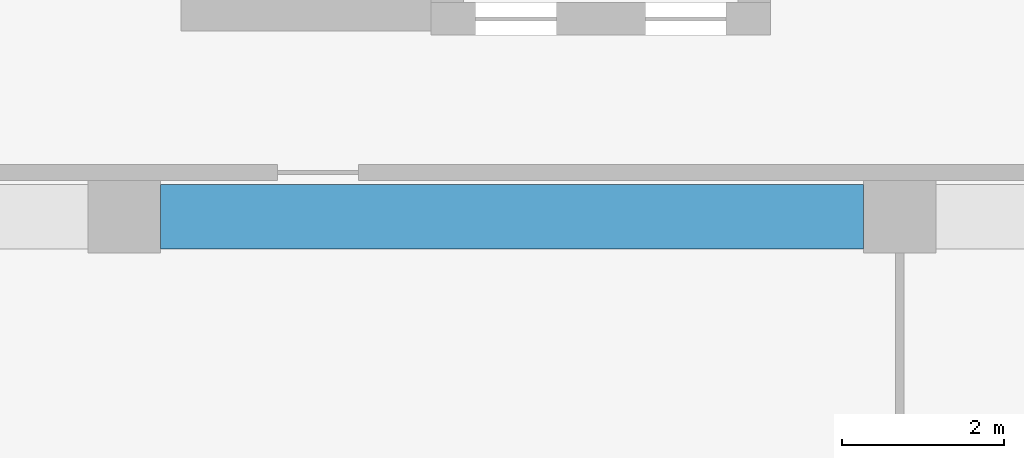
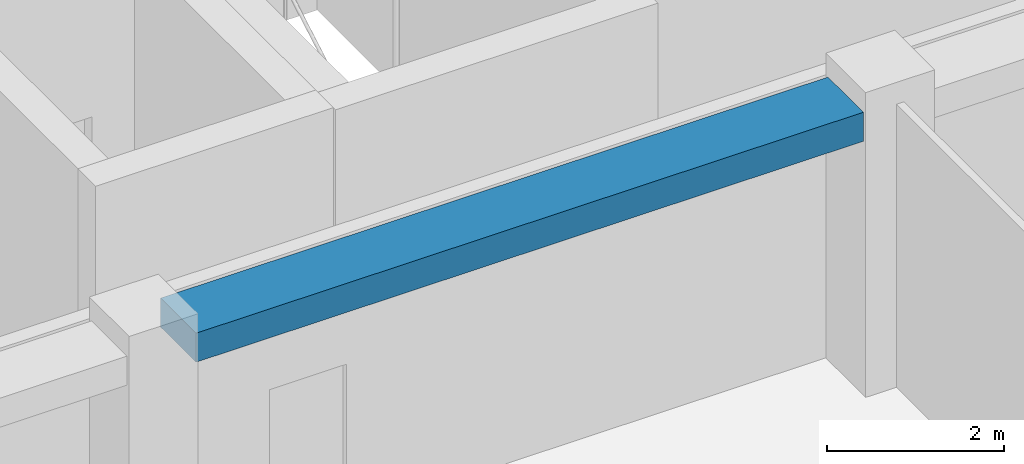
# One storey, part 5 of 38: 1 beam.
"""IFC4 building model written with IfcOpenShell, lengths in metres."""

import ifcopenshell
import ifcopenshell.guid

model = None  # the IFC model being written
_history = None  # IfcOwnerHistory: only IFC2X3 demands one
_inside = {}  # id of a spatial element -> (the spatial element, [elements in it])
_under = {}  # id of a project, library or spatial element -> (it, [spatial elements below it])
_declared = {}  # id of a project -> (the project, [libraries it declares])
_typed = {}  # id of a type object -> (the type object, [elements of that type])
_made_of = {}  # id of a material, layer set ... -> (it, [elements and type objects made of it])


def new_model(schema):
    """Start an empty IFC model of exactly this schema.

    Asked for "IFC4X3", IfcOpenShell would pick the latest addendum, in which some entities
    have other attributes; the version numbers below select the first issue.
    IFC2X3 requires an IfcOwnerHistory on every rooted entity: one is made here for all.
    """
    global model, _history
    if schema == "IFC4X3":
        model = ifcopenshell.file(schema_version=(4, 3, 0, 0))
    else:
        model = ifcopenshell.file(schema=schema)
    _inside.clear()
    _under.clear()
    _declared.clear()
    _typed.clear()
    _made_of.clear()
    _history = None
    if model.schema == "IFC2X3":
        org = make("IfcOrganization", Name="unknown")
        user = make(
            "IfcPersonAndOrganization",
            ThePerson=make("IfcPerson", FamilyName="unknown"),
            TheOrganization=org,
        )
        app = make(
            "IfcApplication",
            ApplicationDeveloper=org,
            Version="unknown",
            ApplicationFullName="unknown",
            ApplicationIdentifier="unknown",
        )
        _history = make(
            "IfcOwnerHistory",
            OwningUser=user,
            OwningApplication=app,
            ChangeAction="ADDED",
            CreationDate=0,
        )
    return model


def make(cls, **values):
    """One entity of the class cls with the attributes given. An attribute that is None is left unset."""
    return model.create_entity(
        cls, **{name: value for name, value in values.items() if value is not None}
    )


def rooted(cls, **values):
    """An entity with a GlobalId (a new one), such as an element, a storey or a relation."""
    return make(cls, GlobalId=ifcopenshell.guid.new(), OwnerHistory=_history, **values)


def si_unit(unit_type, name, prefix=None):
    """IfcSIUnit, for example si_unit("LENGTHUNIT", "METRE", prefix="MILLI")."""
    return make("IfcSIUnit", UnitType=unit_type, Prefix=prefix, Name=name)


def assignment(units):
    """IfcUnitAssignment: the units of a project."""
    return None if units is None else make("IfcUnitAssignment", Units=units)


def point(xyz):
    """IfcCartesianPoint."""
    return None if xyz is None else make("IfcCartesianPoint", Coordinates=xyz)


def direction(xyz):
    """IfcDirection."""
    return None if xyz is None else make("IfcDirection", DirectionRatios=xyz)


def frame(location, z_axis=None, x_axis=None):
    """IfcAxis2Placement3D, a coordinate frame: its origin and axes. An axis left out is left unset."""
    return make(
        "IfcAxis2Placement3D",
        Location=point(location),
        Axis=direction(z_axis),
        RefDirection=direction(x_axis),
    )


def frame_2d(location, x_axis=None):
    """IfcAxis2Placement2D, a coordinate frame in the plane: its origin and x axis."""
    return make(
        "IfcAxis2Placement2D", Location=point(location), RefDirection=direction(x_axis)
    )


def origin():
    """The frame at (0, 0, 0) with its axes left unset."""
    return frame((0.0, 0.0, 0.0))


def origin_2d():
    """The frame at (0, 0) in the plane with its x axis left unset."""
    return frame_2d((0.0, 0.0))


def place(relative_to, where):
    """IfcLocalPlacement: puts the frame where relative to a parent placement (None: the world)."""
    return make(
        "IfcLocalPlacement", PlacementRelTo=relative_to, RelativePlacement=where
    )


def context(
    kind, dimensions, precision=None, world=None, true_north=None, identifier=None
):
    """IfcGeometricRepresentationContext, for example the 3D "Model" context."""
    return make(
        "IfcGeometricRepresentationContext",
        ContextIdentifier=identifier,
        ContextType=kind,
        CoordinateSpaceDimension=dimensions,
        Precision=precision,
        WorldCoordinateSystem=world,
        TrueNorth=true_north,
    )


def subcontext(parent, identifier, kind, view, scale=None):
    """IfcGeometricRepresentationSubContext, for example "Body" below "Model"."""
    return make(
        "IfcGeometricRepresentationSubContext",
        ContextIdentifier=identifier,
        ContextType=kind,
        ParentContext=parent,
        TargetScale=scale,
        TargetView=view,
    )


def project(units=None, contexts=None):
    """IfcProject with its units and contexts."""
    return rooted(
        "IfcProject",
        Name="project",
        RepresentationContexts=contexts,
        UnitsInContext=assignment(units),
    )


def spatial(cls, under=None, at=None, **own):
    """A site, building, storey or space (cls), placed at a placement, below another one or the project."""
    s = rooted(cls, ObjectPlacement=at, **own)
    if under is not None:
        _under.setdefault(under.id(), (under, []))[1].append(s)
    return s


def profile(cls, at=None, kind="AREA", **sizes):
    """A parametric profile (cls). Its sizes go by their IFC names, for example OverallWidth=200.0."""
    return make(cls, ProfileType=kind, Position=at, **sizes)


def rectangle(**sizes):
    """IfcRectangleProfileDef."""
    return profile("IfcRectangleProfileDef", **sizes)


def extrude(swept, where, along, depth):
    """IfcExtrudedAreaSolid: the profile swept, set in the frame where, extruded along a direction by depth."""
    return make(
        "IfcExtrudedAreaSolid",
        SweptArea=swept,
        Position=where,
        ExtrudedDirection=direction(along),
        Depth=depth,
    )


def shape(context_of_items, identifier, shape_type, items):
    """IfcShapeRepresentation: the items that make up one representation, for example the "Body"."""
    return make(
        "IfcShapeRepresentation",
        ContextOfItems=context_of_items,
        RepresentationIdentifier=identifier,
        RepresentationType=shape_type,
        Items=items,
    )


def material(Name=None, Category=None):
    """IfcMaterial."""
    return make("IfcMaterial", Name=Name, Category=Category)


def material_profile(
    of_material, cross_section, Name=None, Category=None, Priority=None
):
    """IfcMaterialProfile: a cross section and its material."""
    return make(
        "IfcMaterialProfile",
        Name=Name,
        Material=of_material,
        Profile=cross_section,
        Priority=Priority,
        Category=Category,
    )


def profile_set(profiles, Name=None, composite=None):
    """IfcMaterialProfileSet."""
    return make(
        "IfcMaterialProfileSet",
        Name=Name,
        MaterialProfiles=profiles,
        CompositeProfile=composite,
    )


def made_of(thing, what):
    """Note that an element or type object is made of a material, layer set ...; save() writes the relation."""
    if what is not None:
        _made_of.setdefault(what.id(), (what, []))[1].append(thing)
    return thing


def type_object(cls, material=None, **own):
    """A type object (cls), such as IfcWallType, which elements share."""
    return made_of(rooted(cls, **own), material)


def element(
    cls,
    number,
    at=None,
    inside=None,
    cuts=None,
    type_object=None,
    material=None,
    context=None,
    identifier="Body",
    shape_type=None,
    held_by="IfcProductDefinitionShape",
    body=None,
    shapes=None,
    **own,
):
    """One element of the class cls, such as IfcWall. Its Tag is "e" and its number.

    at: its placement. inside: the storey or other place that contains it. cuts: it is an
    opening in that element (IfcRelVoidsElement). A single representation is given by context,
    identifier, shape_type and body (its items); several are given by shapes. held_by: the class
    of the entity that holds the representations. save() writes the other relations.
    """
    e = rooted(cls, Tag="e%d" % number, ObjectPlacement=at, **own)
    if body is not None:
        shapes = [shape(context, identifier, shape_type, body)]
    if shapes is not None:
        e.Representation = make(held_by, Representations=shapes)
    if inside is not None:
        _inside.setdefault(inside.id(), (inside, []))[1].append(e)
    if cuts is not None:
        rooted(
            "IfcRelVoidsElement", RelatingBuildingElement=cuts, RelatedOpeningElement=e
        )
    if type_object is not None:
        _typed.setdefault(type_object.id(), (type_object, []))[1].append(e)
    return made_of(e, material)


def aggregate(whole, parts):
    """IfcRelAggregates: a whole, such as a stair, and the parts it consists of."""
    return rooted("IfcRelAggregates", RelatingObject=whole, RelatedObjects=parts)


def save(model, path):
    """Write the relations noted so far, then the file.

    IfcRelAggregates (storeys below a building ...), IfcRelContainedInSpatialStructure (elements
    in a storey), IfcRelDefinesByType, IfcRelAssociatesMaterial and IfcRelDeclares: one each for
    every whole, place, type object, material and project.
    """
    for whole, parts in _under.values():
        aggregate(whole, parts)
    for where, things in _inside.values():
        rooted(
            "IfcRelContainedInSpatialStructure",
            RelatedElements=things,
            RelatingStructure=where,
        )
    for kind, things in _typed.values():
        rooted("IfcRelDefinesByType", RelatedObjects=things, RelatingType=kind)
    for what, things in _made_of.values():
        rooted("IfcRelAssociatesMaterial", RelatedObjects=things, RelatingMaterial=what)
    for by, libraries in _declared.values():
        rooted("IfcRelDeclares", RelatingContext=by, RelatedDefinitions=libraries)
    model.write(path)


model = new_model("IFC4")

# Units and contexts
model_context = context("Model", 3, precision=1e-05, world=origin(), true_north=direction((0.0, 1.0)))
body_context = subcontext(model_context, "Body", "Model", "MODEL_VIEW")
ifc_project = project(units=[si_unit("LENGTHUNIT", "METRE"), si_unit("AREAUNIT", "SQUARE_METRE"), si_unit("VOLUMEUNIT", "CUBIC_METRE"), si_unit("PLANEANGLEUNIT", "RADIAN"), si_unit("MASSUNIT", "GRAM", prefix="KILO")], contexts=[model_context])

# Site, building, storey
site_placement = place(None, origin())
site = spatial("IfcSite", under=ifc_project, at=site_placement, CompositionType="ELEMENT")
building_placement = place(site_placement, origin())
building = spatial("IfcBuilding", under=site, at=building_placement, Name="Nzadi Deep Aquarium and Research Tower", CompositionType="ELEMENT")
storey_placement = place(building_placement, frame((0.0, 0.0, 52.89990234375)))
storey = spatial("IfcBuildingStorey", under=building, at=storey_placement, Name="L10", CompositionType="ELEMENT", Elevation=52.89990234375)

# Beam
ifc_material = material(Name="Concrete C35/45", Category="concrete")
ifc_material_profile = material_profile(ifc_material, rectangle(XDim=0.800048828125, YDim=0.39990234375, at=origin_2d()))
ifc_profile_set = profile_set([ifc_material_profile], Name="Concrete C35/45")
beam_type = type_object("IfcBeamType", Name="RC 800x400", PredefinedType="BEAM", material=ifc_profile_set)
beam_placement = place(storey_placement, frame((19.64990234375, 9.199951171875, 3.7001953125), z_axis=(1.0, 0.0, 0.0), x_axis=(0.0, 1.0, 0.0)))
element("IfcBeam", 1, at=beam_placement, inside=storey, type_object=beam_type, Name="B-Z1-L10-L2-3", PredefinedType="BEAM", context=body_context, shape_type="SweptSolid", body=[
    extrude(rectangle(XDim=0.800048828125, YDim=0.39990234375, at=origin_2d()), origin(), (0.0, 0.0, 1.0), 8.7001953125),
])

save(model, "model.ifc")
